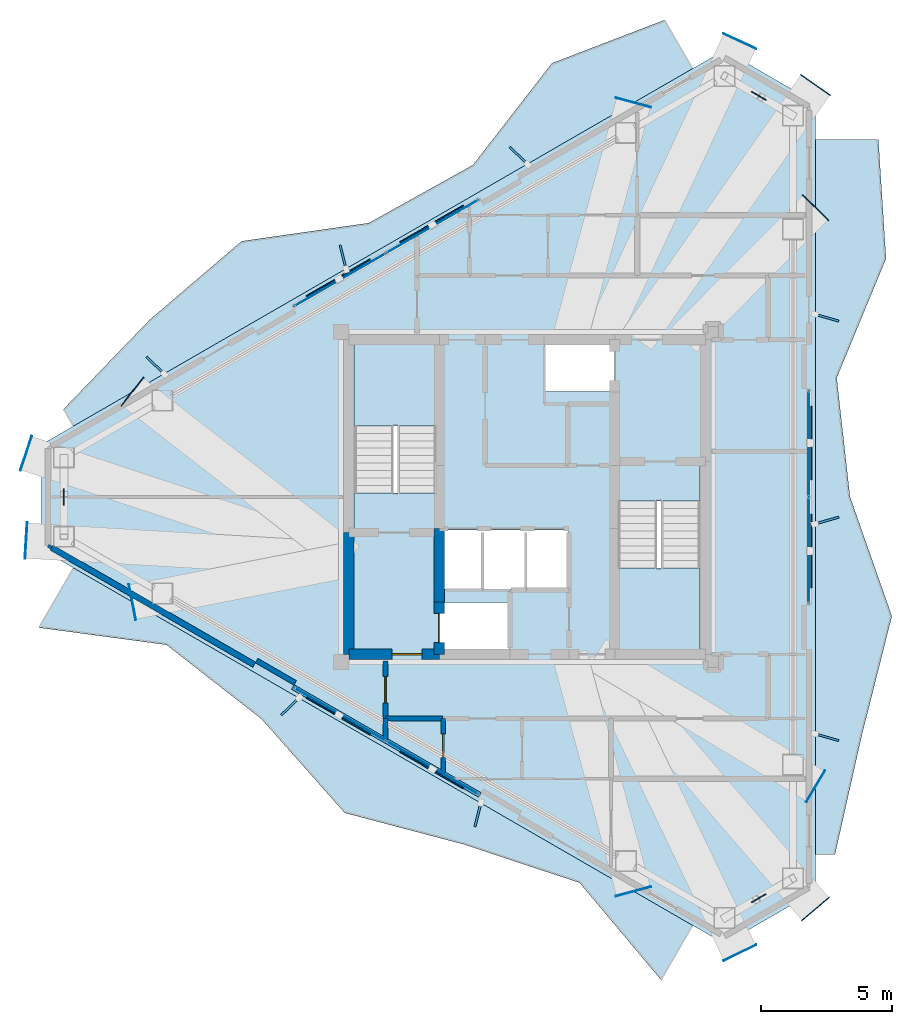
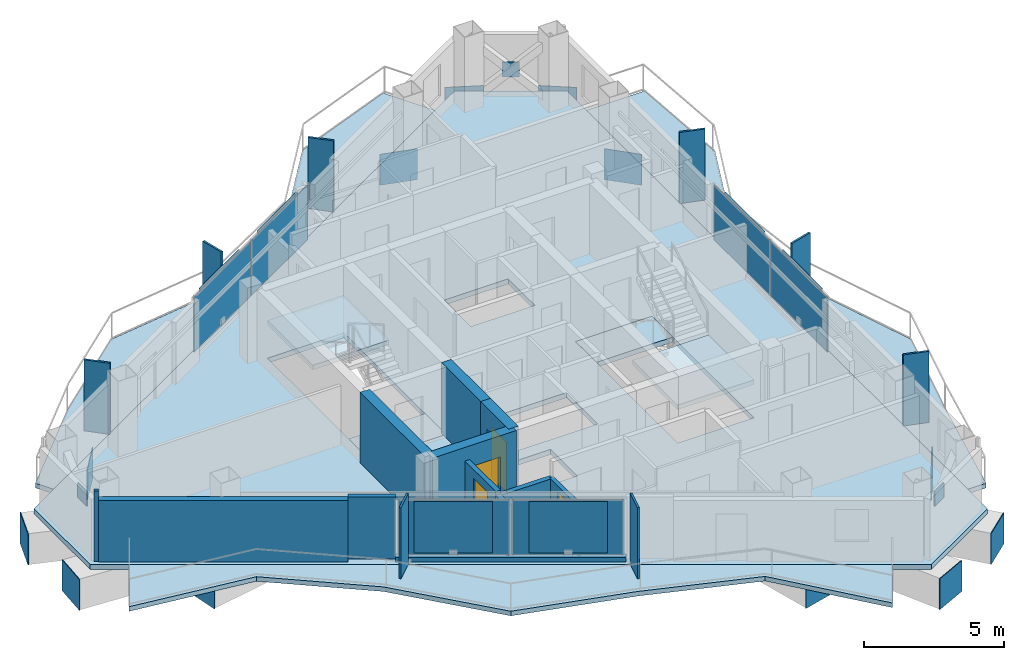
# One storey, part 12 of 17: 35 plates, 12 walls, 8 slabs, 4 doors, 4 openings, 5 elements without a shape of their own.
"""IFC4 building model written with IfcOpenShell, lengths in metres."""

import ifcopenshell
import ifcopenshell.guid

model = None  # the IFC model being written
_history = None  # IfcOwnerHistory: only IFC2X3 demands one
_inside = {}  # id of a spatial element -> (the spatial element, [elements in it])
_under = {}  # id of a project, library or spatial element -> (it, [spatial elements below it])
_declared = {}  # id of a project -> (the project, [libraries it declares])
_typed = {}  # id of a type object -> (the type object, [elements of that type])
_made_of = {}  # id of a material, layer set ... -> (it, [elements and type objects made of it])


def new_model(schema):
    """Start an empty IFC model of exactly this schema.

    Asked for "IFC4X3", IfcOpenShell would pick the latest addendum, in which some entities
    have other attributes; the version numbers below select the first issue.
    IFC2X3 requires an IfcOwnerHistory on every rooted entity: one is made here for all.
    """
    global model, _history
    if schema == "IFC4X3":
        model = ifcopenshell.file(schema_version=(4, 3, 0, 0))
    else:
        model = ifcopenshell.file(schema=schema)
    _inside.clear()
    _under.clear()
    _declared.clear()
    _typed.clear()
    _made_of.clear()
    _history = None
    if model.schema == "IFC2X3":
        org = make("IfcOrganization", Name="unknown")
        user = make(
            "IfcPersonAndOrganization",
            ThePerson=make("IfcPerson", FamilyName="unknown"),
            TheOrganization=org,
        )
        app = make(
            "IfcApplication",
            ApplicationDeveloper=org,
            Version="unknown",
            ApplicationFullName="unknown",
            ApplicationIdentifier="unknown",
        )
        _history = make(
            "IfcOwnerHistory",
            OwningUser=user,
            OwningApplication=app,
            ChangeAction="ADDED",
            CreationDate=0,
        )
    return model


def make(cls, **values):
    """One entity of the class cls with the attributes given. An attribute that is None is left unset."""
    return model.create_entity(
        cls, **{name: value for name, value in values.items() if value is not None}
    )


def rooted(cls, **values):
    """An entity with a GlobalId (a new one), such as an element, a storey or a relation."""
    return make(cls, GlobalId=ifcopenshell.guid.new(), OwnerHistory=_history, **values)


def si_unit(unit_type, name, prefix=None):
    """IfcSIUnit, for example si_unit("LENGTHUNIT", "METRE", prefix="MILLI")."""
    return make("IfcSIUnit", UnitType=unit_type, Prefix=prefix, Name=name)


def assignment(units):
    """IfcUnitAssignment: the units of a project."""
    return None if units is None else make("IfcUnitAssignment", Units=units)


def point(xyz):
    """IfcCartesianPoint."""
    return None if xyz is None else make("IfcCartesianPoint", Coordinates=xyz)


def direction(xyz):
    """IfcDirection."""
    return None if xyz is None else make("IfcDirection", DirectionRatios=xyz)


def frame(location, z_axis=None, x_axis=None):
    """IfcAxis2Placement3D, a coordinate frame: its origin and axes. An axis left out is left unset."""
    return make(
        "IfcAxis2Placement3D",
        Location=point(location),
        Axis=direction(z_axis),
        RefDirection=direction(x_axis),
    )


def frame_2d(location, x_axis=None):
    """IfcAxis2Placement2D, a coordinate frame in the plane: its origin and x axis."""
    return make(
        "IfcAxis2Placement2D", Location=point(location), RefDirection=direction(x_axis)
    )


def origin():
    """The frame at (0, 0, 0) with its axes left unset."""
    return frame((0.0, 0.0, 0.0))


def origin_2d():
    """The frame at (0, 0) in the plane with its x axis left unset."""
    return frame_2d((0.0, 0.0))


def place(relative_to, where):
    """IfcLocalPlacement: puts the frame where relative to a parent placement (None: the world)."""
    return make(
        "IfcLocalPlacement", PlacementRelTo=relative_to, RelativePlacement=where
    )


def context(
    kind, dimensions, precision=None, world=None, true_north=None, identifier=None
):
    """IfcGeometricRepresentationContext, for example the 3D "Model" context."""
    return make(
        "IfcGeometricRepresentationContext",
        ContextIdentifier=identifier,
        ContextType=kind,
        CoordinateSpaceDimension=dimensions,
        Precision=precision,
        WorldCoordinateSystem=world,
        TrueNorth=true_north,
    )


def subcontext(parent, identifier, kind, view, scale=None):
    """IfcGeometricRepresentationSubContext, for example "Body" below "Model"."""
    return make(
        "IfcGeometricRepresentationSubContext",
        ContextIdentifier=identifier,
        ContextType=kind,
        ParentContext=parent,
        TargetScale=scale,
        TargetView=view,
    )


def project(units=None, contexts=None):
    """IfcProject with its units and contexts."""
    return rooted(
        "IfcProject",
        Name="project",
        RepresentationContexts=contexts,
        UnitsInContext=assignment(units),
    )


def spatial(cls, under=None, at=None, **own):
    """A site, building, storey or space (cls), placed at a placement, below another one or the project."""
    s = rooted(cls, ObjectPlacement=at, **own)
    if under is not None:
        _under.setdefault(under.id(), (under, []))[1].append(s)
    return s


def polyline(points):
    """IfcPolyline through the points."""
    return make("IfcPolyline", Points=[point(p) for p in points])


def profile(cls, at=None, kind="AREA", **sizes):
    """A parametric profile (cls). Its sizes go by their IFC names, for example OverallWidth=200.0."""
    return make(cls, ProfileType=kind, Position=at, **sizes)


def rectangle(**sizes):
    """IfcRectangleProfileDef."""
    return profile("IfcRectangleProfileDef", **sizes)


def outline(outer, holes=None, kind="AREA"):
    """IfcArbitraryClosedProfileDef: a profile drawn as a closed curve; with holes, ...WithVoids."""
    if holes is None:
        return make("IfcArbitraryClosedProfileDef", ProfileType=kind, OuterCurve=outer)
    return make(
        "IfcArbitraryProfileDefWithVoids",
        ProfileType=kind,
        OuterCurve=outer,
        InnerCurves=holes,
    )


def extrude(swept, where, along, depth):
    """IfcExtrudedAreaSolid: the profile swept, set in the frame where, extruded along a direction by depth."""
    return make(
        "IfcExtrudedAreaSolid",
        SweptArea=swept,
        Position=where,
        ExtrudedDirection=direction(along),
        Depth=depth,
    )


def shape(context_of_items, identifier, shape_type, items):
    """IfcShapeRepresentation: the items that make up one representation, for example the "Body"."""
    return make(
        "IfcShapeRepresentation",
        ContextOfItems=context_of_items,
        RepresentationIdentifier=identifier,
        RepresentationType=shape_type,
        Items=items,
    )


def material(Name=None, Category=None):
    """IfcMaterial."""
    return make("IfcMaterial", Name=Name, Category=Category)


def layer(
    of_material, thickness, ventilated=None, Name=None, Category=None, Priority=None
):
    """IfcMaterialLayer: one layer of a wall or slab, of a material (None: an air gap)."""
    return make(
        "IfcMaterialLayer",
        Material=of_material,
        LayerThickness=thickness,
        IsVentilated=ventilated,
        Name=Name,
        Category=Category,
        Priority=Priority,
    )


def layer_set(layers, Name=None):
    """IfcMaterialLayerSet."""
    return make("IfcMaterialLayerSet", MaterialLayers=layers, LayerSetName=Name)


def made_of(thing, what):
    """Note that an element or type object is made of a material, layer set ...; save() writes the relation."""
    if what is not None:
        _made_of.setdefault(what.id(), (what, []))[1].append(thing)
    return thing


def type_object(cls, material=None, **own):
    """A type object (cls), such as IfcWallType, which elements share."""
    return made_of(rooted(cls, **own), material)


def element(
    cls,
    number,
    at=None,
    inside=None,
    cuts=None,
    type_object=None,
    material=None,
    context=None,
    identifier="Body",
    shape_type=None,
    held_by="IfcProductDefinitionShape",
    body=None,
    shapes=None,
    **own,
):
    """One element of the class cls, such as IfcWall. Its Tag is "e" and its number.

    at: its placement. inside: the storey or other place that contains it. cuts: it is an
    opening in that element (IfcRelVoidsElement). A single representation is given by context,
    identifier, shape_type and body (its items); several are given by shapes. held_by: the class
    of the entity that holds the representations. save() writes the other relations.
    """
    e = rooted(cls, Tag="e%d" % number, ObjectPlacement=at, **own)
    if body is not None:
        shapes = [shape(context, identifier, shape_type, body)]
    if shapes is not None:
        e.Representation = make(held_by, Representations=shapes)
    if inside is not None:
        _inside.setdefault(inside.id(), (inside, []))[1].append(e)
    if cuts is not None:
        rooted(
            "IfcRelVoidsElement", RelatingBuildingElement=cuts, RelatedOpeningElement=e
        )
    if type_object is not None:
        _typed.setdefault(type_object.id(), (type_object, []))[1].append(e)
    return made_of(e, material)


def fill(opening, filler):
    """IfcRelFillsElement: the door or window that sits in an opening."""
    return rooted(
        "IfcRelFillsElement",
        RelatingOpeningElement=opening,
        RelatedBuildingElement=filler,
    )


def aggregate(whole, parts):
    """IfcRelAggregates: a whole, such as a stair, and the parts it consists of."""
    return rooted("IfcRelAggregates", RelatingObject=whole, RelatedObjects=parts)


def save(model, path):
    """Write the relations noted so far, then the file.

    IfcRelAggregates (storeys below a building ...), IfcRelContainedInSpatialStructure (elements
    in a storey), IfcRelDefinesByType, IfcRelAssociatesMaterial and IfcRelDeclares: one each for
    every whole, place, type object, material and project.
    """
    for whole, parts in _under.values():
        aggregate(whole, parts)
    for where, things in _inside.values():
        rooted(
            "IfcRelContainedInSpatialStructure",
            RelatedElements=things,
            RelatingStructure=where,
        )
    for kind, things in _typed.values():
        rooted("IfcRelDefinesByType", RelatedObjects=things, RelatingType=kind)
    for what, things in _made_of.values():
        rooted("IfcRelAssociatesMaterial", RelatedObjects=things, RelatingMaterial=what)
    for by, libraries in _declared.values():
        rooted("IfcRelDeclares", RelatingContext=by, RelatedDefinitions=libraries)
    model.write(path)


model = new_model("IFC4")

# Units and contexts
model_context = context("Model", 3, precision=1e-05, world=origin(), true_north=direction((0.0, 1.0)))
body_context = subcontext(model_context, "Body", "Model", "MODEL_VIEW")
ifc_project = project(units=[si_unit("LENGTHUNIT", "METRE"), si_unit("AREAUNIT", "SQUARE_METRE"), si_unit("VOLUMEUNIT", "CUBIC_METRE"), si_unit("PLANEANGLEUNIT", "RADIAN"), si_unit("MASSUNIT", "GRAM", prefix="KILO")], contexts=[model_context])

# Site, building, storey
site_placement = place(None, origin())
site = spatial("IfcSite", under=ifc_project, at=site_placement, CompositionType="ELEMENT")
building_placement = place(site_placement, origin())
building = spatial("IfcBuilding", under=site, at=building_placement, Name="Mersakhor Tower and Convention Hall", CompositionType="ELEMENT")
storey_placement = place(building_placement, frame((0.0, 0.0, 223.199951171875)))
storey = spatial("IfcBuildingStorey", under=building, at=storey_placement, Name="L62", CompositionType="ELEMENT", Elevation=223.199951171875)

# Curtain wall, plates
ifc_material_1 = material(Name="Dark solar low-E aluminium curtain wall", Category="aluminium")
ifc_layer_1 = layer(ifc_material_1, 0.179931640625)
ifc_layer_set_1 = layer_set([ifc_layer_1], Name="Dark solar low-E aluminium curtain wall")
curtain_wall_type = type_object("IfcCurtainWallType", Name="CW-SYS-03", PredefinedType="USERDEFINED", material=ifc_layer_set_1)
curtain_wall_1_placement = place(storey_placement, origin())
curtain_wall_1 = element("IfcCurtainWall", 1, at=curtain_wall_1_placement, inside=storey, type_object=curtain_wall_type, Name="L62 Dark-Glass Curtain Wall F1-B2", ObjectType="CURTAIN WALL", PredefinedType="USERDEFINED")
ifc_material_2 = material(Name="Dark solar double glazing", Category="glass")
ifc_layer_2 = layer(ifc_material_2, 0.031982421875)
ifc_layer_set_2 = layer_set([ifc_layer_2], Name="Dark solar double glazing")
plate_type_1 = type_object("IfcPlateType", Name="CWP-GLZ-32", PredefinedType="CURTAIN_PANEL", material=ifc_layer_set_2)
plate_1_placement = place(storey_placement, frame((21.863525390625, 35.034423828125, 0.260009765625), z_axis=(0.0, 0.0, 1.0), x_axis=(0.86602285698, 0.500004411169, 0.0)))
plate_1 = element("IfcPlate", 2, at=plate_1_placement, type_object=plate_type_1, Name="CW-03 panel 1.1", PredefinedType="CURTAIN_PANEL", context=body_context, shape_type="SweptSolid", body=[
    extrude(rectangle(XDim=4.00146484375, YDim=0.031982421875, at=origin_2d()), origin(), (0.0, 0.0, 1.0), 2.3798828125),
])
plate_2_placement = place(storey_placement, frame((25.393798828125, 37.07275390625, 0.260009765625), z_axis=(0.0, 0.0, 1.0), x_axis=(0.86602285698, 0.500004411169, 0.0)))
plate_2 = element("IfcPlate", 3, at=plate_2_placement, type_object=plate_type_1, Name="CW-03 panel 2.1", PredefinedType="CURTAIN_PANEL", context=body_context, shape_type="SweptSolid", body=[
    extrude(rectangle(XDim=4.00146484375, YDim=0.031982421875, at=origin_2d()), origin(), (0.0, 0.0, 1.0), 2.3798828125),
])
aggregate(curtain_wall_1, [plate_1, plate_2])

curtain_wall_2_placement = place(storey_placement, origin())
curtain_wall_2 = element("IfcCurtainWall", 4, at=curtain_wall_2_placement, inside=storey, type_object=curtain_wall_type, Name="L62 Dark-Glass Curtain Wall F2-B2", ObjectType="CURTAIN WALL", PredefinedType="USERDEFINED")
plate_3_placement = place(storey_placement, frame((39.742919921875, 28.7880859375, 0.260009765625), z_axis=(0.0, 0.0, 1.0), x_axis=(0.0, -1.0, 0.0)))
plate_3 = element("IfcPlate", 5, at=plate_3_placement, type_object=plate_type_1, Name="CW-03 panel 1.1", PredefinedType="CURTAIN_PANEL", context=body_context, shape_type="SweptSolid", body=[
    extrude(rectangle(XDim=4.00146484375, YDim=0.031982421875, at=origin_2d()), origin(), (0.0, 0.0, 1.0), 2.3798828125),
])
plate_4_placement = place(storey_placement, frame((39.742919921875, 24.7119140625, 0.260009765625), z_axis=(0.0, 0.0, 1.0), x_axis=(0.0, -1.0, 0.0)))
plate_4 = element("IfcPlate", 6, at=plate_4_placement, type_object=plate_type_1, Name="CW-03 panel 2.1", PredefinedType="CURTAIN_PANEL", context=body_context, shape_type="SweptSolid", body=[
    extrude(rectangle(XDim=4.00146484375, YDim=0.031982421875, at=origin_2d()), origin(), (0.0, 0.0, 1.0), 2.3798828125),
])
aggregate(curtain_wall_2, [plate_3, plate_4])

curtain_wall_3_placement = place(storey_placement, origin())
curtain_wall_3 = element("IfcCurtainWall", 7, at=curtain_wall_3_placement, inside=storey, type_object=curtain_wall_type, Name="L62 Dark-Glass Curtain Wall F3-B2", ObjectType="CURTAIN WALL", PredefinedType="USERDEFINED")
plate_5_placement = place(storey_placement, frame((25.393798828125, 16.42724609375, 0.260009765625), z_axis=(0.0, 0.0, 1.0), x_axis=(-0.86602285698, 0.500004411169, 0.0)))
plate_5 = element("IfcPlate", 8, at=plate_5_placement, type_object=plate_type_1, Name="CW-03 panel 1.1", PredefinedType="CURTAIN_PANEL", context=body_context, shape_type="SweptSolid", body=[
    extrude(rectangle(XDim=4.00146484375, YDim=0.031982421875, at=origin_2d()), origin(), (0.0, 0.0, 1.0), 2.3798828125),
])
plate_6_placement = place(storey_placement, frame((21.863525390625, 18.465576171875, 0.260009765625), z_axis=(0.0, 0.0, 1.0), x_axis=(-0.86602285698, 0.500004411169, 0.0)))
plate_6 = element("IfcPlate", 9, at=plate_6_placement, type_object=plate_type_1, Name="CW-03 panel 2.1", PredefinedType="CURTAIN_PANEL", context=body_context, shape_type="SweptSolid", body=[
    extrude(rectangle(XDim=4.00146484375, YDim=0.031982421875, at=origin_2d()), origin(), (0.0, 0.0, 1.0), 2.3798828125),
])
aggregate(curtain_wall_3, [plate_5, plate_6])

# Plates
ifc_material_3 = material(Name="Steel S355", Category="steel")
ifc_layer_3 = layer(ifc_material_3, 0.031982421875)
ifc_layer_set_3 = layer_set([ifc_layer_3], Name="Steel S355")
plate_type_2 = type_object("IfcPlateType", Name="PL-CAP-32", PredefinedType="SHEET", material=ifc_layer_set_3)
for number, where, z_axis, x_axis, name in (
    (10, (9.892333984375, 28.42041015625, -1.570068359375), (0.0, 0.0, 1.0), (0.949425477642, -0.313992455967, 0.0), "L62 Step Transfer End Cap Plate SCEP-01"),
    (11, (13.947265625, 30.7646484375, -1.570068359375), (0.0, 0.0, 1.0), (0.789512744476, -0.613734165832, 0.0), "L62 Step Transfer End Cap Plate SCEP-02"),
    (12, (33.055908203125, 41.79296875, -1.570068359375), (0.0, 0.0, 1.0), (-0.260335997913, -0.965518082788, 0.0), "L62 Step Transfer End Cap Plate SCEP-03"),
    (13, (37.11083984375, 44.131591796875, -1.570068359375), (0.0, 0.0, 1.0), (-0.422934597085, -0.906160210221, 0.0), "L62 Step Transfer End Cap Plate SCEP-04"),
    (14, (39.99755859375, 42.465087890625, -1.570068359375), (0.0, 0.0, 1.0), (-0.573290463408, -0.819352210326, 0.0), "L62 Step Transfer End Cap Plate SCEP-05"),
    (15, (39.999755859375, 37.7841796875, -1.570068359375), (0.0, 0.0, 1.0), (-0.705995188551, -0.708216629106, 0.0), "L62 Step Transfer End Cap Plate SCEP-06"),
    (16, (40.002197265625, 15.718994140625, -1.570068359375), (0.0, 0.0, 1.0), (-0.856627484195, 0.515935415843, 0.0), "L62 Step Transfer End Cap Plate SCEP-07"),
    (17, (39.998779296875, 11.035888671875, -1.570068359375), (0.0, 0.0, 1.0), (-0.651833725301, 0.758361915289, 0.0), "L62 Step Transfer End Cap Plate SCEP-08"),
    (18, (37.111083984375, 9.368408203125, -1.570068359375), (0.0, 0.0, 1.0), (-0.432557887958, 0.901606163225, 0.0), "L62 Step Transfer End Cap Plate SCEP-09"),
    (19, (33.055908203125, 11.70703125, -1.570068359375), (0.0, 0.0, 1.0), (-0.260335997913, 0.965518082788, 0.0), "L62 Step Transfer End Cap Plate SCEP-10"),
    (20, (13.944091796875, 22.741943359375, -1.570068359375), (0.0, 0.0, 1.0), (0.981560518741, 0.191151636272, 0.0), "L62 Step Transfer End Cap Plate SCEP-11"),
    (21, (9.8916015625, 25.085693359375, -1.570068359375), (0.0, 0.0, 1.0), (0.998219065278, -0.05965482139, 0.0), "L62 Step Transfer End Cap Plate SCEP-12"),
):
    element("IfcPlate", number, at=place(storey_placement, frame(where, z_axis=z_axis, x_axis=x_axis)), inside=storey, type_object=plate_type_2, Name=name, PredefinedType="SHEET", context=body_context, shape_type="SweptSolid", body=[
        extrude(rectangle(XDim=0.031982421875, YDim=1.389892578125, at=origin_2d()), origin(), (0.0, 0.0, 1.0), 1.35009765625),
    ])
ifc_material_4 = material(Name="Ceramic-clad aluminium Zone 5 ultramarine", Category="aluminium")
ifc_material_5 = material(Name="Ceramic-clad aluminium Zone 1 cobalt-slate", Category="masonry")
ifc_layer_4 = layer(ifc_material_5, 0.080078125)
ifc_layer_set_4 = layer_set([ifc_layer_4], Name="Ceramic-clad aluminium Zone 1 cobalt-slate")
plate_type_3 = type_object("IfcPlateType", Name="PL-FIN-80", PredefinedType="USERDEFINED", material=ifc_layer_set_4)
for number, where, z_axis, x_axis, name in (
    (22, (14.826904296875, 31.7646484375, 0.0), (0.0, 0.0, 1.0), (-0.719339800339, 0.694658370459, 0.0), "L62 Zone 5 Coloured Brise-Soleil Fin F1-1"),
    (23, (21.981689453125, 35.8955078125, 0.0), (0.0, 0.0, 1.0), (-0.2419218956, 0.970295726276, 0.0), "L62 Zone 5 Coloured Brise-Soleil Fin F1-2"),
    (24, (28.68310546875, 39.7646484375, 0.0), (0.0, 0.0, 1.0), (-0.719339800339, 0.694658370459, 0.0), "L62 Zone 5 Coloured Brise-Soleil Fin F1-3"),
    (25, (40.429443359375, 33.58837890625, 0.0), (0.0, 0.0, 1.0), (0.961261695938, -0.275637355817, 0.0), "L62 Zone 5 Coloured Brise-Soleil Fin F2-1"),
    (26, (40.429443359375, 25.850341796875, 0.0), (0.0, 0.0, 1.0), (0.961261695938, 0.275637355817, 0.0), "L62 Zone 5 Coloured Brise-Soleil Fin F2-2"),
    (27, (40.429443359375, 17.58837890625, 0.0), (0.0, 0.0, 1.0), (0.961261695938, -0.275637355817, 0.0), "L62 Zone 5 Coloured Brise-Soleil Fin F2-3"),
    (28, (27.125, 14.635009765625, 0.0), (0.0, 0.0, 1.0), (-0.2419218956, -0.970295726276, 0.0), "L62 Zone 5 Coloured Brise-Soleil Fin F3-1"),
    (29, (19.969970703125, 18.765869140625, 0.0), (0.0, 0.0, 1.0), (-0.719339800339, -0.694658370459, 0.0), "L62 Zone 5 Coloured Brise-Soleil Fin F3-2"),
):
    element("IfcPlate", number, at=place(storey_placement, frame(where, z_axis=z_axis, x_axis=x_axis)), inside=storey, type_object=plate_type_3, material=ifc_material_4, Name=name, ObjectType="FIN", PredefinedType="USERDEFINED", context=body_context, shape_type="SweptSolid", body=[
        extrude(rectangle(XDim=0.949951171875, YDim=0.080078125, at=origin_2d()), origin(), (0.0, 0.0, 1.0), 3.10009765625),
    ])
ifc_material_6 = material(Name="Steel S460", Category="steel")
ifc_layer_5 = layer(ifc_material_6, 0.0400390625)
ifc_layer_set_5 = layer_set([ifc_layer_5], Name="Steel S460")
plate_type_4 = type_object("IfcPlateType", Name="PL-GUSSET-40", PredefinedType="SHEET", material=ifc_layer_set_5)
for number, where, z_axis, x_axis, name in (
    (30, (37.833984375, 42.051025390625, 1.22021484375), (0.0, 0.0, 1.0), (-0.866025403784, 0.5, 0.0), "L62 X-Brace Crossing Gusset Node Plate"),
    (31, (37.833984375, 11.448974609375, 1.22021484375), (0.0, 0.0, 1.0), (0.866025403784, 0.5, 0.0), "L62 X-Brace Crossing Gusset Node Plate"),
    (32, (11.33203125, 26.75, 1.22021484375), (0.0, 0.0, 1.0), (0.0, -1.0, 0.0), "L62 X-Brace Crossing Gusset Node Plate"),
):
    element("IfcPlate", number, at=place(storey_placement, frame(where, z_axis=z_axis, x_axis=x_axis)), inside=storey, type_object=plate_type_4, Name=name, PredefinedType="SHEET", context=body_context, shape_type="SweptSolid", body=[
        extrude(rectangle(XDim=0.639892578125, YDim=0.0400390625, at=origin_2d()), origin(), (0.0, 0.0, 1.0), 0.639892578125),
    ])
ifc_material_7 = material(Name="Perforated ceramic cobogo solar screen", Category="aluminium")
ifc_layer_6 = layer(ifc_material_7, 0.048095703125)
ifc_layer_set_6 = layer_set([ifc_layer_6], Name="Perforated ceramic cobogo solar screen")
plate_type_5 = type_object("IfcPlateType", Name="PL-SCR-48", PredefinedType="USERDEFINED", material=ifc_layer_set_6)
for number, where, z_axis, x_axis, name in (
    (33, (21.80029296875, 35.1064453125, 0.400146484375), (0.0, 0.0, 1.0), (0.866025403784, 0.5, 0.0), "L62 Perforated Ceramic Solar Screen F1-1"),
    (34, (25.363037109375, 37.163330078125, 0.400146484375), (0.0, 0.0, 1.0), (0.866025403784, 0.5, 0.0), "L62 Perforated Ceramic Solar Screen F1-2"),
    (35, (39.8369140625, 28.806884765625, 0.400146484375), (0.0, 0.0, 1.0), (0.0, -1.0, 0.0), "L62 Perforated Ceramic Solar Screen F2-1"),
    (36, (39.8369140625, 24.693115234375, 0.400146484375), (0.0, 0.0, 1.0), (0.0, -1.0, 0.0), "L62 Perforated Ceramic Solar Screen F2-2"),
    (37, (25.36279296875, 16.336669921875, 0.400146484375), (0.0, 0.0, 1.0), (-0.866025403784, 0.5, 0.0), "L62 Perforated Ceramic Solar Screen F3-1"),
    (38, (21.80029296875, 18.3935546875, 0.400146484375), (0.0, 0.0, 1.0), (-0.866025403784, 0.5, 0.0), "L62 Perforated Ceramic Solar Screen F3-2"),
):
    element("IfcPlate", number, at=place(storey_placement, frame(where, z_axis=z_axis, x_axis=x_axis)), inside=storey, type_object=plate_type_5, Name=name, ObjectType="SCREEN", PredefinedType="USERDEFINED", context=body_context, shape_type="SweptSolid", body=[
        extrude(rectangle(XDim=2.800048828125, YDim=0.048095703125, at=origin_2d()), origin(), (0.0, 0.0, 1.0), 2.25),
    ])

# Slabs
ifc_material_8 = material(Name="Concrete C45/55", Category="concrete")
ifc_layer_7 = layer(ifc_material_8, 0.199951171875)
ifc_layer_set_7 = layer_set([ifc_layer_7], Name="Concrete C45/55")
slab_type_1 = type_object("IfcSlabType", Name="SL-BAL-200", PredefinedType="FLOOR", material=ifc_layer_set_7)
slab_1_placement = place(storey_placement, frame((0.0, 0.0, -0.199951171875)))
element("IfcSlab", 39, at=slab_1_placement, inside=storey, type_object=slab_type_1, Name="L62 Sinusoidal Balcony Slab Face 1", PredefinedType="FLOOR", context=body_context, shape_type="SweptSolid", body=[
    extrude(outline(polyline([(11.6943359375, 29.451904296875), (35.312744140625, 43.088134765625), (34.2421875, 44.9423828125), (29.9453125, 43.2939453125), (26.936279296875, 39.415283203125), (22.966064453125, 37.200927734375), (18.116943359375, 36.509521484375), (14.602294921875, 33.50634765625), (11.3193359375, 30.1015625), (11.6943359375, 29.451904296875)])), origin(), (0.0, 0.0, 1.0), 0.199951171875),
])
slab_2_placement = place(storey_placement, frame((0.0, 0.0, -0.199951171875)))
element("IfcSlab", 40, at=slab_2_placement, inside=storey, type_object=slab_type_1, Name="L62 Sinusoidal Balcony Slab Face 2", PredefinedType="FLOOR", context=body_context, shape_type="SweptSolid", body=[
    extrude(outline(polyline([(39.992919921875, 40.385986328125), (39.992919921875, 13.114013671875), (40.742919921875, 13.114013671875), (41.76416015625, 17.6591796875), (42.912841796875, 22.20458984375), (41.31640625, 26.75), (40.80712890625, 31.29541015625), (42.688232421875, 35.8408203125), (42.397705078125, 40.385986328125), (39.992919921875, 40.385986328125)])), origin(), (0.0, 0.0, 1.0), 0.199951171875),
])
slab_3_placement = place(storey_placement, frame((0.0, 0.0, -0.199951171875)))
element("IfcSlab", 41, at=slab_3_placement, inside=storey, type_object=slab_type_1, Name="L62 Sinusoidal Balcony Slab Face 3", PredefinedType="FLOOR", context=body_context, shape_type="SweptSolid", body=[
    extrude(outline(polyline([(35.312744140625, 10.411865234375), (11.6943359375, 24.048095703125), (10.376953125, 21.76611328125), (15.24755859375, 21.111328125), (18.864990234375, 18.286376953125), (22.043701171875, 14.701171875), (26.597412109375, 13.498046875), (31.00146484375, 12.03515625), (34.1103515625, 8.3291015625), (35.312744140625, 10.411865234375)])), origin(), (0.0, 0.0, 1.0), 0.199951171875),
])
ifc_material_9 = material(Name="Concrete C40/50", Category="concrete")
ifc_layer_8 = layer(ifc_material_9, 0.219970703125)
ifc_layer_set_8 = layer_set([ifc_layer_8], Name="Concrete C40/50")
slab_type_2 = type_object("IfcSlabType", Name="SL-FLR-220", PredefinedType="FLOOR", material=ifc_layer_set_8)
slab_4_placement = place(storey_placement, frame((0.0, 0.0, -0.219970703125)))
element("IfcSlab", 42, at=slab_4_placement, inside=storey, type_object=slab_type_2, Name="L62 ST-1 Structural Stair Floor Landing", PredefinedType="LANDING", context=body_context, shape_type="SweptSolid", body=[
    extrude(outline(polyline([(25.550048828125, 25.39990234375), (25.550048828125, 26.89990234375), (22.39990234375, 26.89990234375), (22.39990234375, 25.39990234375), (25.550048828125, 25.39990234375)])), origin(), (0.0, 0.0, 1.0), 0.219970703125),
])
slab_5_placement = place(storey_placement, frame((0.0, 0.0, -0.219970703125)))
element("IfcSlab", 43, at=slab_5_placement, inside=storey, type_object=slab_type_2, Name="L62 ST-2 Structural Stair Floor Landing", PredefinedType="LANDING", context=body_context, shape_type="SweptSolid", body=[
    extrude(outline(polyline([(32.449951171875, 28.10009765625), (32.449951171875, 26.60009765625), (35.60009765625, 26.60009765625), (35.60009765625, 28.10009765625), (32.449951171875, 28.10009765625)])), origin(), (0.0, 0.0, 1.0), 0.219970703125),
])
slab_6_placement = place(storey_placement, frame((0.0, 0.0, -0.219970703125)))
element("IfcSlab", 44, at=slab_6_placement, inside=storey, type_object=slab_type_2, Name="Tower L62 Structural Floor Slab", PredefinedType="FLOOR", context=body_context, shape_type="SweptSolid", body=[
    extrude(outline(polyline([(10.48193359375, 28.751953125), (36.525146484375, 43.7880859375), (39.992919921875, 41.7861328125), (39.992919921875, 11.7138671875), (36.525146484375, 9.7119140625), (10.48193359375, 24.748046875), (10.48193359375, 28.751953125)]), holes=[polyline([(25.550048828125, 25.39990234375), (25.550048828125, 32.699951171875), (22.39990234375, 32.699951171875), (22.39990234375, 25.39990234375), (25.550048828125, 25.39990234375)]), polyline([(32.449951171875, 28.10009765625), (32.449951171875, 20.800048828125), (35.60009765625, 20.800048828125), (35.60009765625, 28.10009765625), (32.449951171875, 28.10009765625)]), polyline([(25.679931640625, 20.820068359375), (25.679931640625, 22.719970703125), (28.320068359375, 22.719970703125), (28.320068359375, 20.820068359375), (25.679931640625, 20.820068359375)]), polyline([(29.679931640625, 30.780029296875), (29.679931640625, 32.679931640625), (32.320068359375, 32.679931640625), (32.320068359375, 30.780029296875), (29.679931640625, 30.780029296875)]), polyline([(25.679931640625, 23.25), (25.679931640625, 25.5), (30.570068359375, 25.5), (30.570068359375, 23.25), (25.679931640625, 23.25)])]), origin(), (0.0, 0.0, 1.0), 0.219970703125),
])

# Stair, slab
ifc_material_10 = material(Name="Concrete C45/55", Category="concrete")
stair_type = type_object("IfcStairType", Name="ST-TWR-20R", PredefinedType="HALF_TURN_STAIR", material=ifc_material_10)
stair_1_placement = place(storey_placement, origin())
stair_1 = element("IfcStair", 45, at=stair_1_placement, inside=storey, type_object=stair_type, Name="L62 Tower Protected Exit Stair ST-1", PredefinedType="HALF_TURN_STAIR")
ifc_material_11 = material(Name="Concrete C45/55", Category="concrete")
ifc_layer_9 = layer(ifc_material_11, 0.199951171875)
ifc_layer_set_9 = layer_set([ifc_layer_9], Name="Concrete C45/55")
slab_type_3 = type_object("IfcSlabType", Name="SL-LAND-200", PredefinedType="LANDING", material=ifc_layer_set_9)
slab_7_placement = place(storey_placement, frame((0.0, 0.0, 1.449951171875)))
slab_7 = element("IfcSlab", 46, at=slab_7_placement, type_object=slab_type_3, Name="ST-1 landing 1", PredefinedType="LANDING", context=body_context, shape_type="SweptSolid", body=[
    extrude(outline(polyline([(25.550048828125, 29.465087890625), (25.550048828125, 32.699951171875), (22.39990234375, 32.699951171875), (22.39990234375, 29.465087890625), (25.550048828125, 29.465087890625)])), origin(), (0.0, 0.0, 1.0), 0.2001953125),
])
aggregate(stair_1, [slab_7])

stair_2_placement = place(storey_placement, origin())
stair_2 = element("IfcStair", 47, at=stair_2_placement, inside=storey, type_object=stair_type, Name="L62 Tower Protected Exit Stair ST-2", PredefinedType="HALF_TURN_STAIR")
slab_8_placement = place(storey_placement, frame((0.0, 0.0, 1.449951171875)))
slab_8 = element("IfcSlab", 48, at=slab_8_placement, type_object=slab_type_3, Name="ST-2 landing 1", PredefinedType="LANDING", context=body_context, shape_type="SweptSolid", body=[
    extrude(outline(polyline([(32.449951171875, 24.034912109375), (32.449951171875, 20.800048828125), (35.60009765625, 20.800048828125), (35.60009765625, 24.034912109375), (32.449951171875, 24.034912109375)])), origin(), (0.0, 0.0, 1.0), 0.2001953125),
])
aggregate(stair_2, [slab_8])

# Walls
ifc_material_12 = material(Name="Precast concrete C40/50", Category="concrete")
ifc_layer_10 = layer(ifc_material_12, 0.22509765625)
ifc_layer_set_10 = layer_set([ifc_layer_10], Name="Precast concrete C40/50")
wall_type_1 = type_object("IfcWallType", Name="WL-EXT-225", PredefinedType="SOLIDWALL", material=ifc_layer_set_10)
wall_1_placement = place(storey_placement, frame((18.593505859375, 20.353515625, 0.0), z_axis=(0.0, 0.0, 1.0), x_axis=(-0.866026655105, 0.499997832642, 0.0)))
element("IfcWall", 49, at=wall_1_placement, inside=storey, type_object=wall_type_1, Name="L62 Exterior Facade Wall F3-B3", PredefinedType="SOLIDWALL", context=body_context, shape_type="SweptSolid", body=[
    extrude(rectangle(XDim=8.927734375, YDim=0.22509765625, at=frame_2d((4.4638671875, 0.0))), origin(), (0.0, 0.0, 1.0), 2.699951171875),
])
ifc_material_13 = material(Name="Precast concrete C40/50", Category="concrete")
ifc_layer_11 = layer(ifc_material_13, 0.199951171875)
ifc_layer_set_11 = layer_set([ifc_layer_11], Name="Precast concrete C40/50")
wall_type_2 = type_object("IfcWallType", Name="WL-PAR-200", PredefinedType="PARAPET", material=ifc_layer_set_11)
wall_2_placement = place(storey_placement, frame((27.19140625, 15.389404296875, 0.0), z_axis=(0.0, 0.0, 1.0), x_axis=(-0.866019557082, 0.500010126649, 0.0)))
element("IfcWall", 50, at=wall_2_placement, inside=storey, type_object=wall_type_2, Name="L62 Curtain Wall Upstand Sill F3-B2", PredefinedType="PARAPET", context=body_context, shape_type="SweptSolid", body=[
    extrude(rectangle(XDim=8.227783203125, YDim=0.199951171875, at=frame_2d((4.11376953125, 0.0))), origin(), (0.0, 0.0, 1.0), 0.199951171875),
])
wall_3_placement = place(storey_placement, frame((20.156005859375, 19.6591796875, 0.0), z_axis=(0.0, 0.0, 1.0), x_axis=(-0.866025371046, 0.500000056704, 0.0)))
element("IfcWall", 51, at=wall_3_placement, inside=storey, type_object=wall_type_2, Name="L62 Column Pier Cladding Wall F3-C2", PredefinedType="PARAPET", context=body_context, shape_type="SweptSolid", body=[
    extrude(rectangle(XDim=1.7001953125, YDim=0.199951171875, at=frame_2d((0.85009765625, 0.0))), origin(), (0.0, 0.0, 1.0), 2.699951171875),
])

# Wall, opening, door
ifc_material_14 = material(Name="Moisture-resistant acoustic drywall studwork", Category="other")
ifc_layer_12 = layer(ifc_material_14, 0.175048828125)
ifc_layer_set_12 = layer_set([ifc_layer_12], Name="Moisture-resistant acoustic drywall studwork")
wall_type_3 = type_object("IfcWallType", Name="WL-PLM-175", PredefinedType="PLUMBINGWALL", material=ifc_layer_set_12)
wall_4_placement = place(storey_placement, frame((25.800048828125, 16.239013671875, 0.0), z_axis=(0.0, 0.0, 1.0), x_axis=(0.0, 1.0, 0.0)))
wall_4 = element("IfcWall", 52, at=wall_4_placement, inside=storey, type_object=wall_type_3, Name="L62 Interior Partition Wall P-041", PredefinedType="PLUMBINGWALL", context=body_context, shape_type="SweptSolid", body=[
    extrude(rectangle(XDim=2.06103515625, YDim=0.175048828125, at=frame_2d((1.030517578125, 0.0))), origin(), (0.0, 0.0, 1.0), 2.364990234375),
])
opening_1_placement = place(wall_4_placement, frame((0.58056640625, 0.0, 0.0)))
opening_1 = element("IfcOpeningElement", 53, at=opening_1_placement, cuts=wall_4, Name="Opening WD-01", PredefinedType="OPENING", context=body_context, shape_type="SweptSolid", body=[
    extrude(rectangle(XDim=0.89990234375, YDim=2.10009765625, at=frame_2d((0.449951171875, 1.050048828125))), frame((0.0, 0.097412109375, 0.0), z_axis=(0.0, -1.0, 0.0), x_axis=(1.0, 0.0, 0.0)), (0.0, 0.0, 1.0), 0.195068359375),
])
ifc_material_15 = material(Name="Solid-core hardwood leaf in painted steel frame", Category="steel")
door_type_1 = type_object("IfcDoorType", Name="DR-INT-WET-090x210", OperationType="NOTDEFINED", PredefinedType="DOOR", material=ifc_material_15)
door_1_placement = place(opening_1_placement, origin())
door_1 = element("IfcDoor", 54, at=door_1_placement, inside=storey, type_object=door_type_1, Name="L62 L62 Flat S2 Apartment Hall to L62 Flat S2 Bathroom Door", OperationType="SINGLE_SWING_RIGHT", OverallHeight=2.10009765625, OverallWidth=0.89990234375, PredefinedType="DOOR", context=body_context, shape_type="SweptSolid", body=[
    extrude(rectangle(XDim=0.89990234375, YDim=2.10009765625, at=frame_2d((0.449951171875, 1.050048828125))), frame((0.0, 0.02490234375, 0.0), z_axis=(0.0, -1.0, 0.0), x_axis=(1.0, 0.0, 0.0)), (0.0, 0.0, 1.0), 0.050048828125),
])
fill(opening_1, door_1)

# Walls
ifc_material_16 = material(Name="Gypsum board acoustic partition", Category="other")
ifc_layer_13 = layer(ifc_material_16, 0.125)
ifc_layer_set_13 = layer_set([ifc_layer_13], Name="Gypsum board acoustic partition")
wall_type_4 = type_object("IfcWallType", Name="WL-PRT-125", PredefinedType="PARTITIONING", material=ifc_layer_set_13)
wall_5_placement = place(storey_placement, frame((10.86181640625, 24.817138671875, 0.0), z_axis=(0.0, 0.0, 1.0), x_axis=(-0.866131372301, 0.499816412211, 0.0)))
element("IfcWall", 55, at=wall_5_placement, inside=storey, type_object=wall_type_4, Name="L62 Interior Partition Wall P-059", PredefinedType="PARTITIONING", context=body_context, shape_type="SweptSolid", body=[
    extrude(rectangle(XDim=0.14990234375, YDim=0.125, at=frame_2d((0.074951171875, 0.0))), origin(), (0.0, 0.0, 1.0), 3.080078125),
])
ifc_material_17 = material(Name="Acoustic concrete blockwork and gypsum board", Category="masonry")
ifc_layer_14 = layer(ifc_material_17, 0.199951171875)
ifc_layer_set_14 = layer_set([ifc_layer_14], Name="Acoustic concrete blockwork and gypsum board")
wall_type_5 = type_object("IfcWallType", Name="WL-PRT-200", PredefinedType="PARTITIONING", material=ifc_layer_set_14)
wall_6_placement = place(storey_placement, frame((25.800048828125, 18.300048828125, 0.0), z_axis=(0.0, 0.0, 1.0), x_axis=(-1.0, 0.0, 0.0)))
element("IfcWall", 56, at=wall_6_placement, inside=storey, type_object=wall_type_5, Name="L62 Interior Partition Wall P-033", PredefinedType="PARTITIONING", context=body_context, shape_type="SweptSolid", body=[
    extrude(rectangle(XDim=2.199951171875, YDim=0.199951171875, at=frame_2d((1.10009765625, 0.0))), origin(), (0.0, 0.0, 1.0), 2.364990234375),
])

# Wall, opening, door
wall_7_placement = place(storey_placement, frame((23.60009765625, 18.300048828125, 0.0), z_axis=(0.0, 0.0, 1.0), x_axis=(0.0, 1.0, 0.0)))
wall_7 = element("IfcWall", 57, at=wall_7_placement, inside=storey, type_object=wall_type_5, Name="L62 Interior Partition Wall P-034", PredefinedType="PARTITIONING", context=body_context, shape_type="SweptSolid", body=[
    extrude(rectangle(XDim=2.199951171875, YDim=0.199951171875, at=frame_2d((1.10009765625, 0.0))), origin(), (0.0, 0.0, 1.0), 2.5283203125),
])
opening_2_placement = place(wall_7_placement, frame((0.60009765625, 0.0, 0.0)))
opening_2 = element("IfcOpeningElement", 58, at=opening_2_placement, cuts=wall_7, Name="Opening FD-01", PredefinedType="OPENING", context=body_context, shape_type="SweptSolid", body=[
    extrude(rectangle(XDim=1.0, YDim=2.14990234375, at=frame_2d((0.5, 1.074951171875))), frame((0.0, 0.10986328125, 0.0), z_axis=(0.0, -1.0, 0.0), x_axis=(1.0, 0.0, 0.0)), (0.0, 0.0, 1.0), 0.219970703125),
])
ifc_material_18 = material(Name="Fire-rated hardwood leaf and painted steel frame", Category="steel")
door_type_2 = type_object("IfcDoorType", Name="DR-INT-FLT-100x215", OperationType="NOTDEFINED", PredefinedType="DOOR", material=ifc_material_18)
door_2_placement = place(opening_2_placement, origin())
door_2 = element("IfcDoor", 59, at=door_2_placement, inside=storey, type_object=door_type_2, Name="L62 Residential South Gallery Corridor to L62 West Crown Quiet Focus Lounge Door", OperationType="SINGLE_SWING_LEFT", OverallHeight=2.14990234375, OverallWidth=1.0, PredefinedType="DOOR", context=body_context, shape_type="SweptSolid", body=[
    extrude(rectangle(XDim=1.0, YDim=2.14990234375, at=frame_2d((0.5, 1.074951171875))), frame((0.0, 0.02490234375, 0.0), z_axis=(0.0, -1.0, 0.0), x_axis=(1.0, 0.0, 0.0)), (0.0, 0.0, 1.0), 0.050048828125),
])
fill(opening_2, door_2)

# Walls
wall_8_placement = place(storey_placement, frame((23.60009765625, 17.50927734375, 0.0), z_axis=(0.0, 0.0, 1.0), x_axis=(0.0, 1.0, 0.0)))
element("IfcWall", 60, at=wall_8_placement, inside=storey, type_object=wall_type_5, Name="L62 Interior Partition Wall P-049", PredefinedType="PARTITIONING", context=body_context, shape_type="SweptSolid", body=[
    extrude(rectangle(XDim=0.790771484375, YDim=0.199951171875, at=frame_2d((0.3955078125, 0.0))), origin(), (0.0, 0.0, 1.0), 2.364990234375),
])
ifc_material_19 = material(Name="Concrete C60/75", Category="concrete")
ifc_layer_15 = layer(ifc_material_19, 0.39990234375)
ifc_layer_set_15 = layer_set([ifc_layer_15], Name="Concrete C60/75")
wall_type_6 = type_object("IfcWallType", Name="WL-SHR-400", PredefinedType="SHEAR", material=ifc_layer_set_15)
wall_9_placement = place(storey_placement, frame((22.199951171875, 20.75, 0.0), z_axis=(0.0, 0.0, 1.0), x_axis=(0.0, 1.0, 0.0)))
element("IfcWall", 61, at=wall_9_placement, inside=storey, type_object=wall_type_6, Name="L62 Core Wall CW-W1", PredefinedType="SHEAR", context=body_context, shape_type="SweptSolid", body=[
    extrude(rectangle(XDim=4.64990234375, YDim=0.39990234375, at=frame_2d((2.324951171875, 0.0))), origin(), (0.0, 0.0, 1.0), 3.080078125),
])

# Wall, opening, door
wall_10_placement = place(storey_placement, frame((25.64990234375, 20.75, 0.0), z_axis=(0.0, 0.0, 1.0), x_axis=(-1.0, 0.0, 0.0)))
wall_10 = element("IfcWall", 62, at=wall_10_placement, inside=storey, type_object=wall_type_6, Name="L62 Core Wall CW-S4", PredefinedType="SHEAR", context=body_context, shape_type="SweptSolid", body=[
    extrude(rectangle(XDim=3.449951171875, YDim=0.39990234375, at=frame_2d((1.72509765625, 0.0))), origin(), (0.0, 0.0, 1.0), 3.080078125),
])
opening_3_placement = place(wall_10_placement, frame((0.64990234375, 0.0, 0.0)))
opening_3 = element("IfcOpeningElement", 63, at=opening_3_placement, cuts=wall_10, Name="Opening SD-01", PredefinedType="OPENING", context=body_context, shape_type="SweptSolid", body=[
    extrude(rectangle(XDim=1.14990234375, YDim=2.14990234375, at=frame_2d((0.574951171875, 1.074951171875))), frame((0.0, 0.2099609375, 0.0), z_axis=(0.0, -1.0, 0.0), x_axis=(1.0, 0.0, 0.0)), (0.0, 0.0, 1.0), 0.419921875),
])
ifc_material_20 = material(Name="Fire-rated hardwood leaf and painted steel frame", Category="steel")
door_type_3 = type_object("IfcDoorType", Name="DR-INT-STAIR-115x215", OperationType="NOTDEFINED", PredefinedType="DOOR", material=ifc_material_20)
door_3_placement = place(opening_3_placement, origin())
door_3 = element("IfcDoor", 64, at=door_3_placement, inside=storey, type_object=door_type_3, Name="L62 Firefighting Lobby West Fire Door", OperationType="SINGLE_SWING_LEFT", OverallHeight=2.14990234375, OverallWidth=1.14990234375, PredefinedType="DOOR", context=body_context, shape_type="SweptSolid", body=[
    extrude(rectangle(XDim=1.14990234375, YDim=2.14990234375, at=frame_2d((0.574951171875, 1.074951171875))), frame((0.0, 0.02490234375, 0.0), z_axis=(0.0, -1.0, 0.0), x_axis=(1.0, 0.0, 0.0)), (0.0, 0.0, 1.0), 0.050048828125),
])
fill(opening_3, door_3)

wall_11_placement = place(storey_placement, frame((25.64990234375, 20.75, 0.0), z_axis=(0.0, 0.0, 1.0), x_axis=(0.0, 1.0, 0.0)))
wall_11 = element("IfcWall", 65, at=wall_11_placement, inside=storey, type_object=wall_type_6, Name="L62 Core Wall CS-W-FFL", PredefinedType="SHEAR", context=body_context, shape_type="SweptSolid", body=[
    extrude(rectangle(XDim=2.0, YDim=0.39990234375, at=frame_2d((1.0, 0.0))), origin(), (0.0, 0.0, 1.0), 3.080078125),
])
opening_4_placement = place(wall_11_placement, frame((0.449951171875, 0.0, 0.0)))
opening_4 = element("IfcOpeningElement", 66, at=opening_4_placement, cuts=wall_11, Name="Opening LD-FFL1", PredefinedType="OPENING", context=body_context, shape_type="SweptSolid", body=[
    extrude(rectangle(XDim=1.10009765625, YDim=2.14990234375, at=frame_2d((0.550048828125, 1.074951171875))), frame((0.0, 0.2099609375, 0.0), z_axis=(0.0, -1.0, 0.0), x_axis=(1.0, 0.0, 0.0)), (0.0, 0.0, 1.0), 0.419921875),
])
ifc_material_21 = material(Name="Fire-rated brushed stainless steel sliding landing door", Category="steel")
door_type_4 = type_object("IfcDoorType", Name="DR-LIFT-SLD-110x215", OperationType="NOTDEFINED", PredefinedType="DOOR", material=ifc_material_21)
door_4_placement = place(opening_4_placement, origin())
door_4 = element("IfcDoor", 67, at=door_4_placement, inside=storey, type_object=door_type_4, Name="L62 Firefighting Lift Landing Door LD-FFL1", OperationType="SLIDING_TO_LEFT", OverallHeight=2.14990234375, OverallWidth=1.10009765625, PredefinedType="DOOR", context=body_context, shape_type="SweptSolid", body=[
    extrude(rectangle(XDim=1.10009765625, YDim=2.14990234375, at=frame_2d((0.550048828125, 1.074951171875))), frame((0.0, 0.02490234375, 0.0), z_axis=(0.0, -1.0, 0.0), x_axis=(1.0, 0.0, 0.0)), (0.0, 0.0, 1.0), 0.050048828125),
])
fill(opening_4, door_4)

# Wall
wall_12_placement = place(storey_placement, frame((25.64990234375, 22.75, 0.0), z_axis=(0.0, 0.0, 1.0), x_axis=(0.0, 1.0, 0.0)))
element("IfcWall", 68, at=wall_12_placement, inside=storey, type_object=wall_type_6, Name="L62 Core Wall CS-W-MID", PredefinedType="SHEAR", context=body_context, shape_type="SweptSolid", body=[
    extrude(rectangle(XDim=2.800048828125, YDim=0.39990234375, at=frame_2d((1.39990234375, 0.0))), origin(), (0.0, 0.0, 1.0), 3.080078125),
])

save(model, "model.ifc")
